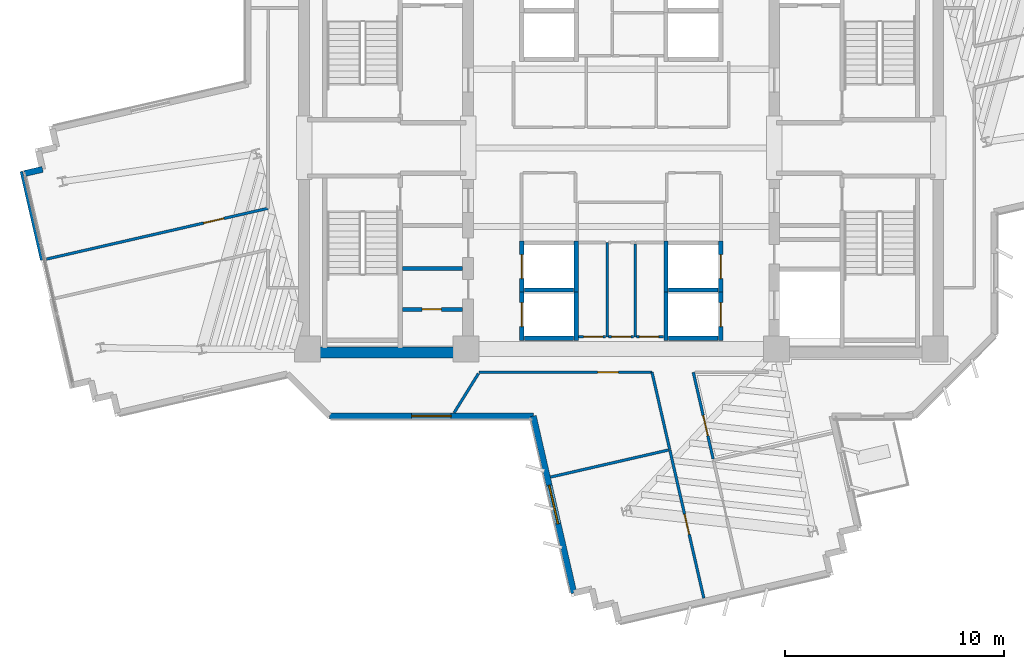
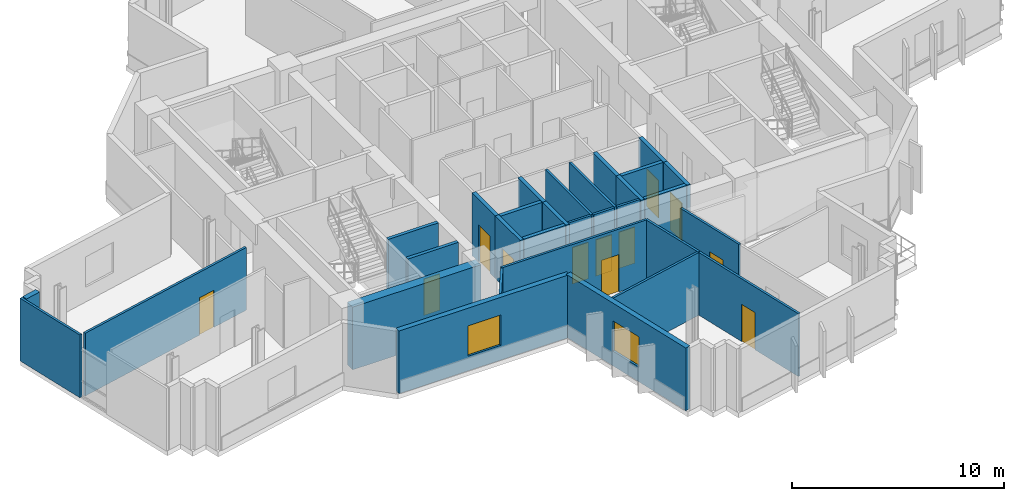
# One storey, part 6 of 13: 31 walls, 12 doors, 2 windows, 14 openings.
"""IFC4 building model written with IfcOpenShell, lengths in metres."""

from ifc_helpers import new_model, si_unit, direction, frame, frame_2d, origin, place, context, subcontext, project, spatial, rectangle, extrude, source, transform, mapped, material, layer, layer_set, type_object, element, fill, save


model = new_model("IFC4")

# Units and contexts
model_context = context("Model", 3, precision=1e-05, world=origin(), true_north=direction((0.0, 1.0)))
body_context = subcontext(model_context, "Body", "Model", "MODEL_VIEW")
ifc_project = project(units=[si_unit("LENGTHUNIT", "METRE"), si_unit("AREAUNIT", "SQUARE_METRE"), si_unit("VOLUMEUNIT", "CUBIC_METRE"), si_unit("PLANEANGLEUNIT", "RADIAN"), si_unit("MASSUNIT", "GRAM", prefix="KILO")], contexts=[model_context])

# Site, building, storey
site_placement = place(None, origin())
site = spatial("IfcSite", under=ifc_project, at=site_placement, CompositionType="ELEMENT")
building_placement = place(site_placement, origin())
building = spatial("IfcBuilding", under=site, at=building_placement, Name="Zahravan Cultural Tower", CompositionType="ELEMENT")
storey_placement = place(building_placement, frame((0.0, 0.0, 170.699951171875)))
storey = spatial("IfcBuildingStorey", under=building, at=storey_placement, Name="L39", CompositionType="ELEMENT", Elevation=170.699951171875)

# Wall, opening, window
ifc_material_1 = material(Name="Precast concrete C40/50", Category="concrete")
ifc_layer_1 = layer(ifc_material_1, 0.280029296875)
ifc_layer_set_1 = layer_set([ifc_layer_1], Name="Precast concrete C40/50")
wall_type_1 = type_object("IfcWallType", Name="EW-TC-280", PredefinedType="SOLIDWALL", material=ifc_layer_set_1)
wall_1_placement = place(storey_placement, frame((33.83740234375, 6.64111328125, 0.0), z_axis=(0.0, 0.0, 1.0), x_axis=(-0.223595405455, 0.974682047983, 0.0)))
wall_1 = element("IfcWall", 1, at=wall_1_placement, inside=storey, type_object=wall_type_1, Name="L39 Exterior Masonry Frame Wall 24", PredefinedType="SOLIDWALL", context=body_context, shape_type="SweptSolid", body=[
    extrude(rectangle(XDim=8.309326171875, YDim=0.280029296875, at=frame_2d((4.15478515625, 0.0))), origin(), (0.0, 0.0, 1.0), 3.6201171875),
])
opening_1_placement = place(wall_1_placement, frame((3.2548828125, 0.0, 0.85009765625)))
opening_1 = element("IfcOpeningElement", 2, at=opening_1_placement, cuts=wall_1, Name="Opening WN-02", PredefinedType="OPENING", context=body_context, shape_type="SweptSolid", body=[
    extrude(rectangle(XDim=1.800048828125, YDim=1.75, at=frame_2d((0.89990234375, 0.875))), frame((0.0, 0.14990234375, 0.0), z_axis=(0.0, -1.0, 0.0), x_axis=(1.0, 0.0, 0.0)), (0.0, 0.0, 1.0), 0.300048828125),
])
ifc_material_2 = material(Name="Low-E solar-control double glazing", Category="glass")
window_type = type_object("IfcWindowType", Name="WN-REC-1800X1750", PartitioningType="DOUBLE_PANEL_VERTICAL", PredefinedType="WINDOW", material=ifc_material_2)
shared_shape_1 = source(origin(), body_context, "Body", "SweptSolid", [
    extrude(rectangle(XDim=1.800048828125, YDim=1.75, at=frame_2d((0.89990234375, 0.875))), frame((0.0, 0.030029296875, 0.0), z_axis=(0.0, -1.0, 0.0), x_axis=(1.0, 0.0, 0.0)), (0.0, 0.0, 1.0), 0.06005859375),
])
window_1_placement = place(opening_1_placement, origin())
window_1 = element("IfcWindow", 3, at=window_1_placement, inside=storey, type_object=window_type, Name="L39 Recessed Solar Window 05", OverallHeight=1.75, OverallWidth=1.800048828125, PartitioningType="DOUBLE_PANEL_VERTICAL", PredefinedType="WINDOW", context=body_context, shape_type="MappedRepresentation", body=[
    mapped(shared_shape_1, transform((0.0, 0.0, 0.0), x_axis=(1.0, 0.0, 0.0), y_axis=(0.0, 1.0, 0.0), z_axis=(0.0, 0.0, 1.0), scale=1.0)),
])
fill(opening_1, window_1)

wall_2_placement = place(storey_placement, frame((31.9794921875, 14.739990234375, 0.0), z_axis=(0.0, 0.0, 1.0), x_axis=(-1.0, 0.0, 0.0)))
wall_2 = element("IfcWall", 4, at=wall_2_placement, inside=storey, type_object=wall_type_1, Name="L39 Exterior Masonry Frame Wall 25", PredefinedType="SOLIDWALL", context=body_context, shape_type="SweptSolid", body=[
    extrude(rectangle(XDim=9.321533203125, YDim=0.280029296875, at=frame_2d((4.66064453125, 0.0))), origin(), (0.0, 0.0, 1.0), 3.6201171875),
])
opening_2_placement = place(wall_2_placement, frame((3.760986328125, 0.0, 0.85009765625)))
opening_2 = element("IfcOpeningElement", 5, at=opening_2_placement, cuts=wall_2, Name="Opening WN-02", PredefinedType="OPENING", context=body_context, shape_type="SweptSolid", body=[
    extrude(rectangle(XDim=1.800048828125, YDim=1.75, at=frame_2d((0.89990234375, 0.875))), frame((0.0, 0.14990234375, 0.0), z_axis=(0.0, -1.0, 0.0), x_axis=(1.0, 0.0, 0.0)), (0.0, 0.0, 1.0), 0.300048828125),
])
window_2_placement = place(opening_2_placement, origin())
window_2 = element("IfcWindow", 6, at=window_2_placement, inside=storey, type_object=window_type, Name="L39 Recessed Solar Window 06", OverallHeight=1.75, OverallWidth=1.800048828125, PartitioningType="DOUBLE_PANEL_VERTICAL", PredefinedType="WINDOW", context=body_context, shape_type="MappedRepresentation", body=[
    mapped(shared_shape_1, transform((0.0, 0.0, 0.0), x_axis=(1.0, 0.0, 0.0), y_axis=(0.0, 1.0, 0.0), z_axis=(0.0, 0.0, 1.0), scale=1.0)),
])
fill(opening_2, window_2)

# Wall, opening, door
ifc_material_3 = material(Name="Gypsum plasterboard partition")
ifc_layer_2 = layer(ifc_material_3, 0.179931640625)
ifc_layer_set_2 = layer_set([ifc_layer_2], Name="Gypsum plasterboard partition")
wall_type_2 = type_object("IfcWallType", Name="W-COMP-180", PredefinedType="PARTITIONING", material=ifc_layer_set_2)
wall_3_placement = place(storey_placement, frame((26.0, 19.6201171875, 0.0), z_axis=(0.0, 0.0, 1.0), x_axis=(1.0, 0.0, 0.0)))
wall_3 = element("IfcWall", 7, at=wall_3_placement, inside=storey, type_object=wall_type_2, Name="L39 Interior Wall 026", PredefinedType="PARTITIONING", context=body_context, shape_type="SweptSolid", body=[
    extrude(rectangle(XDim=2.75, YDim=0.179931640625, at=frame_2d((1.375, 0.0))), origin(), (0.0, 0.0, 1.0), 3.6201171875),
])
opening_3_placement = place(wall_3_placement, frame((0.89990234375, 0.0, 0.0)))
opening_3 = element("IfcOpeningElement", 8, at=opening_3_placement, cuts=wall_3, Name="Opening D-L39-09", PredefinedType="OPENING", context=body_context, shape_type="SweptSolid", body=[
    extrude(rectangle(XDim=0.8798828125, YDim=2.10009765625, at=frame_2d((0.43994140625, 1.050048828125))), frame((0.0, 0.099853515625, 0.0), z_axis=(0.0, -1.0, 0.0), x_axis=(1.0, 0.0, 0.0)), (0.0, 0.0, 1.0), 0.199951171875),
])
ifc_material_4 = material(Name="Steel ASTM A572 Grade 50", Category="steel")
door_type_1 = type_object("IfcDoorType", Name="DR-SVC-880", OperationType="NOTDEFINED", PredefinedType="DOOR", material=ifc_material_4)
shared_shape_2 = source(origin(), body_context, "Body", "SweptSolid", [
    extrude(rectangle(XDim=0.8798828125, YDim=2.10009765625, at=frame_2d((0.43994140625, 1.050048828125))), frame((0.0, 0.02490234375, 0.0), z_axis=(0.0, -1.0, 0.0), x_axis=(1.0, 0.0, 0.0)), (0.0, 0.0, 1.0), 0.050048828125),
])
door_1_placement = place(opening_3_placement, origin())
door_1 = element("IfcDoor", 9, at=door_1_placement, inside=storey, type_object=door_type_1, Name="L39 Door D-L39-09", OperationType="SINGLE_SWING_LEFT", OverallHeight=2.10009765625, OverallWidth=0.8798828125, PredefinedType="DOOR", context=body_context, shape_type="MappedRepresentation", body=[
    mapped(shared_shape_2, transform((0.0, 0.0, 0.0), x_axis=(1.0, 0.0, 0.0), y_axis=(0.0, 1.0, 0.0), z_axis=(0.0, 0.0, 1.0), scale=1.0)),
])
fill(opening_3, door_1)

ifc_layer_3 = layer(ifc_material_3, 0.125)
ifc_layer_set_3 = layer_set([ifc_layer_3], Name="Gypsum plasterboard partition")
wall_type_3 = type_object("IfcWallType", Name="W-PART-125", PredefinedType="PARTITIONING", material=ifc_layer_set_3)
wall_4_placement = place(storey_placement, frame((36.572509765625, 18.360107421875, 0.0), z_axis=(0.0, 0.0, 1.0), x_axis=(-1.0, 0.0, 0.0)))
wall_4 = element("IfcWall", 10, at=wall_4_placement, inside=storey, type_object=wall_type_3, Name="L39 Interior Wall 065", PredefinedType="PARTITIONING", context=body_context, shape_type="SweptSolid", body=[
    extrude(rectangle(XDim=1.14501953125, YDim=0.125, at=frame_2d((0.572509765625, 0.0))), origin(), (0.0, 0.0, 1.0), 3.6201171875),
])
opening_4_placement = place(wall_4_placement, frame((0.132568359375, 0.0, 0.0)))
opening_4 = element("IfcOpeningElement", 11, at=opening_4_placement, cuts=wall_4, Name="Opening D-L39-21", PredefinedType="OPENING", context=body_context, shape_type="SweptSolid", body=[
    extrude(rectangle(XDim=0.8798828125, YDim=2.10009765625, at=frame_2d((0.43994140625, 1.050048828125))), frame((0.0, 0.072509765625, 0.0), z_axis=(0.0, -1.0, 0.0), x_axis=(1.0, 0.0, 0.0)), (0.0, 0.0, 1.0), 0.14501953125),
])
ifc_material_5 = material(Name="Anodised bronze-aluminium mullion", Category="aluminium")
door_type_2 = type_object("IfcDoorType", Name="DR-ROOM-880", OperationType="NOTDEFINED", PredefinedType="DOOR", material=ifc_material_5)
door_2_placement = place(opening_4_placement, origin())
door_2 = element("IfcDoor", 12, at=door_2_placement, inside=storey, type_object=door_type_2, Name="L39 Door D-L39-21", OperationType="SINGLE_SWING_LEFT", OverallHeight=2.10009765625, OverallWidth=0.8798828125, PredefinedType="DOOR", context=body_context, shape_type="MappedRepresentation", body=[
    mapped(shared_shape_2, transform((0.0, 0.0, 0.0), x_axis=(1.0, 0.0, 0.0), y_axis=(0.0, 1.0, 0.0), z_axis=(0.0, 0.0, 1.0), scale=1.0)),
])
fill(opening_4, door_2)

wall_5_placement = place(storey_placement, frame((35.29248046875, 18.360107421875, 0.0), z_axis=(0.0, 0.0, 1.0), x_axis=(-1.0, 0.0, 0.0)))
wall_5 = element("IfcWall", 13, at=wall_5_placement, inside=storey, type_object=wall_type_3, Name="L39 Interior Wall 067", PredefinedType="PARTITIONING", context=body_context, shape_type="SweptSolid", body=[
    extrude(rectangle(XDim=1.237548828125, YDim=0.125, at=frame_2d((0.61865234375, 0.0))), origin(), (0.0, 0.0, 1.0), 3.6201171875),
])
opening_5_placement = place(wall_5_placement, frame((0.125, 0.0, 0.0)))
opening_5 = element("IfcOpeningElement", 14, at=opening_5_placement, cuts=wall_5, Name="Opening D-L39-20", PredefinedType="OPENING", context=body_context, shape_type="SweptSolid", body=[
    extrude(rectangle(XDim=0.8798828125, YDim=2.10009765625, at=frame_2d((0.43994140625, 1.050048828125))), frame((0.0, 0.072509765625, 0.0), z_axis=(0.0, -1.0, 0.0), x_axis=(1.0, 0.0, 0.0)), (0.0, 0.0, 1.0), 0.14501953125),
])
door_3_placement = place(opening_5_placement, origin())
door_3 = element("IfcDoor", 15, at=door_3_placement, inside=storey, type_object=door_type_2, Name="L39 Door D-L39-20", OperationType="SINGLE_SWING_RIGHT", OverallHeight=2.10009765625, OverallWidth=0.8798828125, PredefinedType="DOOR", context=body_context, shape_type="MappedRepresentation", body=[
    mapped(shared_shape_2, transform((0.0, 0.0, 0.0), x_axis=(1.0, 0.0, 0.0), y_axis=(0.0, 1.0, 0.0), z_axis=(0.0, 0.0, 1.0), scale=1.0)),
])
fill(opening_5, door_3)

wall_6_placement = place(storey_placement, frame((37.945068359375, 18.360107421875, 0.0), z_axis=(0.0, 0.0, 1.0), x_axis=(-1.0, 0.0, 0.0)))
wall_6 = element("IfcWall", 16, at=wall_6_placement, inside=storey, type_object=wall_type_3, Name="L39 Interior Wall 069", PredefinedType="PARTITIONING", context=body_context, shape_type="SweptSolid", body=[
    extrude(rectangle(XDim=1.237548828125, YDim=0.125, at=frame_2d((0.61865234375, 0.0))), origin(), (0.0, 0.0, 1.0), 3.6201171875),
])
opening_6_placement = place(wall_6_placement, frame((0.232421875, 0.0, 0.0)))
opening_6 = element("IfcOpeningElement", 17, at=opening_6_placement, cuts=wall_6, Name="Opening D-L39-22", PredefinedType="OPENING", context=body_context, shape_type="SweptSolid", body=[
    extrude(rectangle(XDim=0.8798828125, YDim=2.10009765625, at=frame_2d((0.43994140625, 1.050048828125))), frame((0.0, 0.072509765625, 0.0), z_axis=(0.0, -1.0, 0.0), x_axis=(1.0, 0.0, 0.0)), (0.0, 0.0, 1.0), 0.14501953125),
])
door_4_placement = place(opening_6_placement, origin())
door_4 = element("IfcDoor", 18, at=door_4_placement, inside=storey, type_object=door_type_2, Name="L39 Door D-L39-22", OperationType="SINGLE_SWING_RIGHT", OverallHeight=2.10009765625, OverallWidth=0.8798828125, PredefinedType="DOOR", context=body_context, shape_type="MappedRepresentation", body=[
    mapped(shared_shape_2, transform((0.0, 0.0, 0.0), x_axis=(1.0, 0.0, 0.0), y_axis=(0.0, 1.0, 0.0), z_axis=(0.0, 0.0, 1.0), scale=1.0)),
])
fill(opening_6, door_4)

wall_7_placement = place(storey_placement, frame((29.487548828125, 16.739990234375, 0.0), z_axis=(0.0, 0.0, 1.0), x_axis=(1.0, 0.0, 0.0)))
wall_7 = element("IfcWall", 19, at=wall_7_placement, inside=storey, type_object=wall_type_3, Name="L39 Interior Wall 088", PredefinedType="PARTITIONING", context=body_context, shape_type="SweptSolid", body=[
    extrude(rectangle(XDim=7.922119140625, YDim=0.125, at=frame_2d((3.9609375, 0.0))), origin(), (0.0, 0.0, 1.0), 3.6201171875),
])
opening_7_placement = place(wall_7_placement, frame((5.438232421875, 0.0, 0.0)))
opening_7 = element("IfcOpeningElement", 20, at=opening_7_placement, cuts=wall_7, Name="Opening D-L39-28", PredefinedType="OPENING", context=body_context, shape_type="SweptSolid", body=[
    extrude(rectangle(XDim=0.949951171875, YDim=2.14990234375, at=frame_2d((0.47509765625, 1.074951171875))), frame((0.0, 0.072509765625, 0.0), z_axis=(0.0, -1.0, 0.0), x_axis=(1.0, 0.0, 0.0)), (0.0, 0.0, 1.0), 0.14501953125),
])
door_type_3 = type_object("IfcDoorType", Name="DR-ROOM-950", OperationType="NOTDEFINED", PredefinedType="DOOR", material=ifc_material_5)
shared_shape_3 = source(origin(), body_context, "Body", "SweptSolid", [
    extrude(rectangle(XDim=0.949951171875, YDim=2.14990234375, at=frame_2d((0.47509765625, 1.074951171875))), frame((0.0, 0.02490234375, 0.0), z_axis=(0.0, -1.0, 0.0), x_axis=(1.0, 0.0, 0.0)), (0.0, 0.0, 1.0), 0.050048828125),
])
door_5_placement = place(opening_7_placement, origin())
door_5 = element("IfcDoor", 21, at=door_5_placement, inside=storey, type_object=door_type_3, Name="L39 Door D-L39-28", OperationType="SINGLE_SWING_RIGHT", OverallHeight=2.14990234375, OverallWidth=0.949951171875, PredefinedType="DOOR", context=body_context, shape_type="MappedRepresentation", body=[
    mapped(shared_shape_3, transform((0.0, 0.0, 0.0), x_axis=(1.0, 0.0, 0.0), y_axis=(0.0, 1.0, 0.0), z_axis=(0.0, 0.0, 1.0), scale=1.0)),
])
fill(opening_7, door_5)

wall_8_placement = place(storey_placement, frame((40.206298828125, 12.778076171875, 0.0), z_axis=(0.0, 0.0, 1.0), x_axis=(-0.223552104445, 0.97469198037, 0.0)))
wall_8 = element("IfcWall", 22, at=wall_8_placement, inside=storey, type_object=wall_type_3, Name="L39 Interior Wall 094", PredefinedType="PARTITIONING", context=body_context, shape_type="SweptSolid", body=[
    extrude(rectangle(XDim=4.064697265625, YDim=0.125, at=frame_2d((2.0322265625, 0.0))), origin(), (0.0, 0.0, 1.0), 3.6201171875),
])
opening_8_placement = place(wall_8_placement, frame((1.090087890625, 0.0, 0.0)))
opening_8 = element("IfcOpeningElement", 23, at=opening_8_placement, cuts=wall_8, Name="Opening D-L39-30", PredefinedType="OPENING", context=body_context, shape_type="SweptSolid", body=[
    extrude(rectangle(XDim=0.949951171875, YDim=2.14990234375, at=frame_2d((0.47509765625, 1.074951171875))), frame((0.0, 0.072509765625, 0.0), z_axis=(0.0, -1.0, 0.0), x_axis=(1.0, 0.0, 0.0)), (0.0, 0.0, 1.0), 0.14501953125),
])
door_6_placement = place(opening_8_placement, origin())
door_6 = element("IfcDoor", 24, at=door_6_placement, inside=storey, type_object=door_type_3, Name="L39 Door D-L39-30", OperationType="SINGLE_SWING_RIGHT", OverallHeight=2.14990234375, OverallWidth=0.949951171875, PredefinedType="DOOR", context=body_context, shape_type="MappedRepresentation", body=[
    mapped(shared_shape_3, transform((0.0, 0.0, 0.0), x_axis=(1.0, 0.0, 0.0), y_axis=(0.0, 1.0, 0.0), z_axis=(0.0, 0.0, 1.0), scale=1.0)),
])
fill(opening_8, door_6)

wall_9_placement = place(storey_placement, frame((38.226806640625, 13.177978515625, 0.0), z_axis=(0.0, 0.0, 1.0), x_axis=(0.223573066544, -0.974687172336, 0.0)))
wall_9 = element("IfcWall", 25, at=wall_9_placement, inside=storey, type_object=wall_type_3, Name="L39 Interior Wall 096", PredefinedType="PARTITIONING", context=body_context, shape_type="SweptSolid", body=[
    extrude(rectangle(XDim=6.945068359375, YDim=0.125, at=frame_2d((3.47265625, 0.0))), origin(), (0.0, 0.0, 1.0), 3.6201171875),
])
opening_9_placement = place(wall_9_placement, frame((2.99755859375, 0.0, 0.0)))
opening_9 = element("IfcOpeningElement", 26, at=opening_9_placement, cuts=wall_9, Name="Opening D-L39-29", PredefinedType="OPENING", context=body_context, shape_type="SweptSolid", body=[
    extrude(rectangle(XDim=0.949951171875, YDim=2.14990234375, at=frame_2d((0.47509765625, 1.074951171875))), frame((0.0, 0.072509765625, 0.0), z_axis=(0.0, -1.0, 0.0), x_axis=(1.0, 0.0, 0.0)), (0.0, 0.0, 1.0), 0.14501953125),
])
door_7_placement = place(opening_9_placement, origin())
door_7 = element("IfcDoor", 27, at=door_7_placement, inside=storey, type_object=door_type_3, Name="L39 Door D-L39-29", OperationType="SINGLE_SWING_LEFT", OverallHeight=2.14990234375, OverallWidth=0.949951171875, PredefinedType="DOOR", context=body_context, shape_type="MappedRepresentation", body=[
    mapped(shared_shape_3, transform((0.0, 0.0, 0.0), x_axis=(1.0, 0.0, 0.0), y_axis=(0.0, 1.0, 0.0), z_axis=(0.0, 0.0, 1.0), scale=1.0)),
])
fill(opening_9, door_7)

wall_10_placement = place(storey_placement, frame((19.85009765625, 24.239013671875, 0.0), z_axis=(0.0, 0.0, 1.0), x_axis=(-0.974685214681, -0.223581600949, 0.0)))
wall_10 = element("IfcWall", 28, at=wall_10_placement, inside=storey, type_object=wall_type_3, Name="L39 Interior Wall 098", PredefinedType="PARTITIONING", context=body_context, shape_type="SweptSolid", body=[
    extrude(rectangle(XDim=10.396484375, YDim=0.125, at=frame_2d((5.1982421875, 0.0))), origin(), (0.0, 0.0, 1.0), 3.6201171875),
])
opening_10_placement = place(wall_10_placement, frame((2.078125, 0.0, 0.0)))
opening_10 = element("IfcOpeningElement", 29, at=opening_10_placement, cuts=wall_10, Name="Opening D-L39-26", PredefinedType="OPENING", context=body_context, shape_type="SweptSolid", body=[
    extrude(rectangle(XDim=0.949951171875, YDim=2.14990234375, at=frame_2d((0.47509765625, 1.074951171875))), frame((0.0, 0.072509765625, 0.0), z_axis=(0.0, -1.0, 0.0), x_axis=(1.0, 0.0, 0.0)), (0.0, 0.0, 1.0), 0.14501953125),
])
door_8_placement = place(opening_10_placement, origin())
door_8 = element("IfcDoor", 30, at=door_8_placement, inside=storey, type_object=door_type_3, Name="L39 Door D-L39-26", OperationType="SINGLE_SWING_RIGHT", OverallHeight=2.14990234375, OverallWidth=0.949951171875, PredefinedType="DOOR", context=body_context, shape_type="MappedRepresentation", body=[
    mapped(shared_shape_3, transform((0.0, 0.0, 0.0), x_axis=(1.0, 0.0, 0.0), y_axis=(0.0, 1.0, 0.0), z_axis=(0.0, 0.0, 1.0), scale=1.0)),
])
fill(opening_10, door_8)

ifc_material_6 = material(Name="Concrete C45/55", Category="concrete")
ifc_layer_4 = layer(ifc_material_6, 0.199951171875)
ifc_layer_set_4 = layer_set([ifc_layer_4], Name="Concrete C45/55")
wall_type_4 = type_object("IfcWallType", Name="W-SHAFT-200", PredefinedType="SOLIDWALL", material=ifc_layer_set_4)
wall_11_placement = place(storey_placement, frame((31.449951171875, 20.39990234375, 0.0), z_axis=(0.0, 0.0, 1.0), x_axis=(0.0, 1.0, 0.0)))
wall_11 = element("IfcWall", 31, at=wall_11_placement, inside=storey, type_object=wall_type_4, Name="L39 Interior Wall 043", PredefinedType="SOLIDWALL", context=body_context, shape_type="SweptSolid", body=[
    extrude(rectangle(XDim=2.35009765625, YDim=0.199951171875, at=frame_2d((1.175048828125, 0.0))), origin(), (0.0, 0.0, 1.0), 3.6201171875),
])
opening_11_placement = place(wall_11_placement, frame((0.625, 0.0, 0.0)))
opening_11 = element("IfcOpeningElement", 32, at=opening_11_placement, cuts=wall_11, Name="Opening LD-L39-04", PredefinedType="OPENING", context=body_context, shape_type="SweptSolid", body=[
    extrude(rectangle(XDim=1.10009765625, YDim=2.14990234375, at=frame_2d((0.550048828125, 1.074951171875))), frame((0.0, 0.10986328125, 0.0), z_axis=(0.0, -1.0, 0.0), x_axis=(1.0, 0.0, 0.0)), (0.0, 0.0, 1.0), 0.219970703125),
])
door_type_4 = type_object("IfcDoorType", Name="DR-LIFT-1100", OperationType="DOUBLE_DOOR_SLIDING", PredefinedType="DOOR", material=ifc_material_4)
shared_shape_4 = source(origin(), body_context, "Body", "SweptSolid", [
    extrude(rectangle(XDim=1.10009765625, YDim=2.14990234375, at=frame_2d((0.550048828125, 1.074951171875))), frame((0.0, 0.02490234375, 0.0), z_axis=(0.0, -1.0, 0.0), x_axis=(1.0, 0.0, 0.0)), (0.0, 0.0, 1.0), 0.050048828125),
])
door_9_placement = place(opening_11_placement, origin())
door_9 = element("IfcDoor", 33, at=door_9_placement, inside=storey, type_object=door_type_4, Name="L39 Door LD-L39-04", OperationType="DOUBLE_DOOR_SLIDING", OverallHeight=2.14990234375, OverallWidth=1.10009765625, PredefinedType="DOOR", context=body_context, shape_type="MappedRepresentation", body=[
    mapped(shared_shape_4, transform((0.0, 0.0, 0.0), x_axis=(1.0, 0.0, 0.0), y_axis=(0.0, 1.0, 0.0), z_axis=(0.0, 0.0, 1.0), scale=1.0)),
])
fill(opening_11, door_9)

wall_12_placement = place(storey_placement, frame((31.449951171875, 18.199951171875, 0.0), z_axis=(0.0, 0.0, 1.0), x_axis=(0.0, 1.0, 0.0)))
wall_12 = element("IfcWall", 34, at=wall_12_placement, inside=storey, type_object=wall_type_4, Name="L39 Interior Wall 047", PredefinedType="SOLIDWALL", context=body_context, shape_type="SweptSolid", body=[
    extrude(rectangle(XDim=2.35009765625, YDim=0.199951171875, at=frame_2d((1.175048828125, 0.0))), origin(), (0.0, 0.0, 1.0), 3.6201171875),
])
opening_12_placement = place(wall_12_placement, frame((0.625, 0.0, 0.0)))
opening_12 = element("IfcOpeningElement", 35, at=opening_12_placement, cuts=wall_12, Name="Opening LD-L39-05", PredefinedType="OPENING", context=body_context, shape_type="SweptSolid", body=[
    extrude(rectangle(XDim=1.10009765625, YDim=2.14990234375, at=frame_2d((0.550048828125, 1.074951171875))), frame((0.0, 0.10986328125, 0.0), z_axis=(0.0, -1.0, 0.0), x_axis=(1.0, 0.0, 0.0)), (0.0, 0.0, 1.0), 0.219970703125),
])
door_10_placement = place(opening_12_placement, origin())
door_10 = element("IfcDoor", 36, at=door_10_placement, inside=storey, type_object=door_type_4, Name="L39 Door LD-L39-05", OperationType="DOUBLE_DOOR_SLIDING", OverallHeight=2.14990234375, OverallWidth=1.10009765625, PredefinedType="DOOR", context=body_context, shape_type="MappedRepresentation", body=[
    mapped(shared_shape_4, transform((0.0, 0.0, 0.0), x_axis=(1.0, 0.0, 0.0), y_axis=(0.0, 1.0, 0.0), z_axis=(0.0, 0.0, 1.0), scale=1.0)),
])
fill(opening_12, door_10)

wall_13_placement = place(storey_placement, frame((40.550048828125, 20.39990234375, 0.0), z_axis=(0.0, 0.0, 1.0), x_axis=(0.0, 1.0, 0.0)))
wall_13 = element("IfcWall", 37, at=wall_13_placement, inside=storey, type_object=wall_type_4, Name="L39 Interior Wall 051", PredefinedType="SOLIDWALL", context=body_context, shape_type="SweptSolid", body=[
    extrude(rectangle(XDim=2.35009765625, YDim=0.199951171875, at=frame_2d((1.175048828125, 0.0))), origin(), (0.0, 0.0, 1.0), 3.6201171875),
])
opening_13_placement = place(wall_13_placement, frame((0.625, 0.0, 0.0)))
opening_13 = element("IfcOpeningElement", 38, at=opening_13_placement, cuts=wall_13, Name="Opening LD-L39-06", PredefinedType="OPENING", context=body_context, shape_type="SweptSolid", body=[
    extrude(rectangle(XDim=1.10009765625, YDim=2.14990234375, at=frame_2d((0.550048828125, 1.074951171875))), frame((0.0, 0.10986328125, 0.0), z_axis=(0.0, -1.0, 0.0), x_axis=(1.0, 0.0, 0.0)), (0.0, 0.0, 1.0), 0.219970703125),
])
door_11_placement = place(opening_13_placement, origin())
door_11 = element("IfcDoor", 39, at=door_11_placement, inside=storey, type_object=door_type_4, Name="L39 Door LD-L39-06", OperationType="DOUBLE_DOOR_SLIDING", OverallHeight=2.14990234375, OverallWidth=1.10009765625, PredefinedType="DOOR", context=body_context, shape_type="MappedRepresentation", body=[
    mapped(shared_shape_4, transform((0.0, 0.0, 0.0), x_axis=(1.0, 0.0, 0.0), y_axis=(0.0, 1.0, 0.0), z_axis=(0.0, 0.0, 1.0), scale=1.0)),
])
fill(opening_13, door_11)

wall_14_placement = place(storey_placement, frame((40.550048828125, 18.199951171875, 0.0), z_axis=(0.0, 0.0, 1.0), x_axis=(0.0, 1.0, 0.0)))
wall_14 = element("IfcWall", 40, at=wall_14_placement, inside=storey, type_object=wall_type_4, Name="L39 Interior Wall 055", PredefinedType="SOLIDWALL", context=body_context, shape_type="SweptSolid", body=[
    extrude(rectangle(XDim=2.35009765625, YDim=0.199951171875, at=frame_2d((1.175048828125, 0.0))), origin(), (0.0, 0.0, 1.0), 3.6201171875),
])
opening_14_placement = place(wall_14_placement, frame((0.625, 0.0, 0.0)))
opening_14 = element("IfcOpeningElement", 41, at=opening_14_placement, cuts=wall_14, Name="Opening LD-L39-07", PredefinedType="OPENING", context=body_context, shape_type="SweptSolid", body=[
    extrude(rectangle(XDim=1.10009765625, YDim=2.14990234375, at=frame_2d((0.550048828125, 1.074951171875))), frame((0.0, 0.10986328125, 0.0), z_axis=(0.0, -1.0, 0.0), x_axis=(1.0, 0.0, 0.0)), (0.0, 0.0, 1.0), 0.219970703125),
])
door_12_placement = place(opening_14_placement, origin())
door_12 = element("IfcDoor", 42, at=door_12_placement, inside=storey, type_object=door_type_4, Name="L39 Door LD-L39-07", OperationType="DOUBLE_DOOR_SLIDING", OverallHeight=2.14990234375, OverallWidth=1.10009765625, PredefinedType="DOOR", context=body_context, shape_type="MappedRepresentation", body=[
    mapped(shared_shape_4, transform((0.0, 0.0, 0.0), x_axis=(1.0, 0.0, 0.0), y_axis=(0.0, 1.0, 0.0), z_axis=(0.0, 0.0, 1.0), scale=1.0)),
])
fill(opening_14, door_12)

# Walls
ifc_material_7 = material(Name="Concrete C60/75", Category="concrete")
ifc_layer_5 = layer(ifc_material_7, 0.5)
ifc_layer_set_5 = layer_set([ifc_layer_5], Name="Concrete C60/75")
wall_type_5 = type_object("IfcWallType", Name="CW-SHEAR-500-C60", PredefinedType="SHEAR", material=ifc_layer_set_5)
shared_shape_5 = source(origin(), body_context, "Body", "SweptSolid", [
    extrude(rectangle(XDim=7.0, YDim=0.5, at=frame_2d((3.5, 0.0))), origin(), (0.0, 0.0, 1.0), 3.6201171875),
])
wall_15_placement = place(storey_placement, frame((21.75, 17.64990234375, 0.0), z_axis=(0.0, 0.0, 1.0), x_axis=(1.0, 0.0, 0.0)))
element("IfcWall", 43, at=wall_15_placement, inside=storey, type_object=wall_type_5, Name="L39 Core Shear Wall CW-W-S-L39", PredefinedType="SHEAR", context=body_context, shape_type="MappedRepresentation", body=[
    mapped(shared_shape_5, transform((0.0, 0.0, 0.0), x_axis=(1.0, 0.0, 0.0), y_axis=(0.0, 1.0, 0.0), z_axis=(0.0, 0.0, 1.0), scale=1.0)),
])
shared_shape_6 = source(origin(), body_context, "Body", "SweptSolid", [
    extrude(rectangle(XDim=0.849853515625, YDim=0.280029296875, at=frame_2d((0.4248046875, 0.0))), origin(), (0.0, 0.0, 1.0), 3.6201171875),
])
wall_16_placement = place(storey_placement, frame((8.7109375, 25.828857421875, 0.0), z_axis=(0.0, 0.0, 1.0), x_axis=(0.974704946586, 0.223495563939, 0.0)))
element("IfcWall", 44, at=wall_16_placement, inside=storey, type_object=wall_type_1, Name="L39 Exterior Masonry Frame Wall 32", PredefinedType="SOLIDWALL", context=body_context, shape_type="MappedRepresentation", body=[
    mapped(shared_shape_6, transform((0.0, 0.0, 0.0), x_axis=(1.0, 0.0, 0.0), y_axis=(0.0, 1.0, 0.0), z_axis=(0.0, 0.0, 1.0), scale=1.0)),
])
shared_shape_7 = source(origin(), body_context, "Body", "SweptSolid", [
    extrude(rectangle(XDim=2.75, YDim=0.179931640625, at=frame_2d((1.375, 0.0))), origin(), (0.0, 0.0, 1.0), 3.6201171875),
])
wall_17_placement = place(storey_placement, frame((26.0, 21.47998046875, 0.0), z_axis=(0.0, 0.0, 1.0), x_axis=(1.0, 0.0, 0.0)))
element("IfcWall", 45, at=wall_17_placement, inside=storey, type_object=wall_type_2, Name="L39 Interior Wall 027", PredefinedType="PARTITIONING", context=body_context, shape_type="MappedRepresentation", body=[
    mapped(shared_shape_7, transform((0.0, 0.0, 0.0), x_axis=(1.0, 0.0, 0.0), y_axis=(0.0, 1.0, 0.0), z_axis=(0.0, 0.0, 1.0), scale=1.0)),
])
shared_shape_8 = source(origin(), body_context, "Body", "SweptSolid", [
    extrude(rectangle(XDim=2.260009765625, YDim=0.199951171875, at=frame_2d((1.1298828125, 0.0))), origin(), (0.0, 0.0, 1.0), 3.6201171875),
])
for number, where, z_axis, x_axis, name in (
    (46, (31.570068359375, 20.5, 0.0), (0.0, 0.0, 1.0), (1.0, 0.0, 0.0), "L39 Interior Wall 045"),
    (47, (31.570068359375, 18.300048828125, 0.0), (0.0, 0.0, 1.0), (1.0, 0.0, 0.0), "L39 Interior Wall 049"),
    (48, (38.169921875, 20.5, 0.0), (0.0, 0.0, 1.0), (1.0, 0.0, 0.0), "L39 Interior Wall 052"),
    (49, (38.169921875, 18.300048828125, 0.0), (0.0, 0.0, 1.0), (1.0, 0.0, 0.0), "L39 Interior Wall 056"),
):
    element("IfcWall", number, at=place(storey_placement, frame(where, z_axis=z_axis, x_axis=x_axis)), inside=storey, type_object=wall_type_4, Name=name, PredefinedType="SOLIDWALL", context=body_context, shape_type="MappedRepresentation", body=[
        mapped(shared_shape_8, transform((0.0, 0.0, 0.0), x_axis=(1.0, 0.0, 0.0), y_axis=(0.0, 1.0, 0.0), z_axis=(0.0, 0.0, 1.0), scale=1.0)),
    ])
shared_shape_9 = source(origin(), body_context, "Body", "SweptSolid", [
    extrude(rectangle(XDim=2.35009765625, YDim=0.199951171875, at=frame_2d((1.175048828125, 0.0))), origin(), (0.0, 0.0, 1.0), 3.6201171875),
])
for number, where, z_axis, x_axis, name in (
    (50, (33.949951171875, 20.39990234375, 0.0), (0.0, 0.0, 1.0), (0.0, 1.0, 0.0), "L39 Interior Wall 044"),
    (51, (33.949951171875, 18.199951171875, 0.0), (0.0, 0.0, 1.0), (0.0, 1.0, 0.0), "L39 Interior Wall 048"),
    (52, (38.050048828125, 20.39990234375, 0.0), (0.0, 0.0, 1.0), (0.0, 1.0, 0.0), "L39 Interior Wall 050"),
    (53, (38.050048828125, 18.199951171875, 0.0), (0.0, 0.0, 1.0), (0.0, 1.0, 0.0), "L39 Interior Wall 054"),
):
    element("IfcWall", number, at=place(storey_placement, frame(where, z_axis=z_axis, x_axis=x_axis)), inside=storey, type_object=wall_type_4, Name=name, PredefinedType="SOLIDWALL", context=body_context, shape_type="MappedRepresentation", body=[
        mapped(shared_shape_9, transform((0.0, 0.0, 0.0), x_axis=(1.0, 0.0, 0.0), y_axis=(0.0, 1.0, 0.0), z_axis=(0.0, 0.0, 1.0), scale=1.0)),
    ])
shared_shape_10 = source(origin(), body_context, "Body", "SweptSolid", [
    extrude(rectangle(XDim=5.52734375, YDim=0.125, at=frame_2d((2.763671875, 0.0))), origin(), (0.0, 0.0, 1.0), 3.6201171875),
])
wall_18_placement = place(storey_placement, frame((38.156494140625, 13.182373046875, 0.0), z_axis=(0.0, 0.0, 1.0), x_axis=(-0.974684411123, -0.223585103961, 0.0)))
element("IfcWall", 54, at=wall_18_placement, inside=storey, type_object=wall_type_3, Name="L39 Interior Wall 090", PredefinedType="PARTITIONING", context=body_context, shape_type="MappedRepresentation", body=[
    mapped(shared_shape_10, transform((0.0, 0.0, 0.0), x_axis=(1.0, 0.0, 0.0), y_axis=(0.0, 1.0, 0.0), z_axis=(0.0, 0.0, 1.0), scale=1.0)),
])
shared_shape_11 = source(origin(), body_context, "Body", "SweptSolid", [
    extrude(rectangle(XDim=4.159912109375, YDim=0.125, at=frame_2d((2.080078125, 0.0))), origin(), (0.0, 0.0, 1.0), 3.6201171875),
])
wall_19_placement = place(storey_placement, frame((9.497314453125, 21.8642578125, 0.0), z_axis=(0.0, 0.0, 1.0), x_axis=(-0.223599186995, 0.974681180477, 0.0)))
element("IfcWall", 55, at=wall_19_placement, inside=storey, type_object=wall_type_3, Name="L39 Interior Wall 099", PredefinedType="PARTITIONING", context=body_context, shape_type="MappedRepresentation", body=[
    mapped(shared_shape_11, transform((0.0, 0.0, 0.0), x_axis=(1.0, 0.0, 0.0), y_axis=(0.0, 1.0, 0.0), z_axis=(0.0, 0.0, 1.0), scale=1.0)),
])
shared_shape_12 = source(origin(), body_context, "Body", "SweptSolid", [
    extrude(rectangle(XDim=4.31982421875, YDim=0.125, at=frame_2d((2.159912109375, 0.0))), origin(), (0.0, 0.0, 1.0), 3.6201171875),
])
wall_20_placement = place(storey_placement, frame((35.360107421875, 18.360107421875, 0.0), z_axis=(0.0, 0.0, 1.0), x_axis=(0.0, 1.0, 0.0)))
element("IfcWall", 56, at=wall_20_placement, inside=storey, type_object=wall_type_3, Name="L39 Interior Wall 062", PredefinedType="PARTITIONING", context=body_context, shape_type="MappedRepresentation", body=[
    mapped(shared_shape_12, transform((0.0, 0.0, 0.0), x_axis=(1.0, 0.0, 0.0), y_axis=(0.0, 1.0, 0.0), z_axis=(0.0, 0.0, 1.0), scale=1.0)),
])
shared_shape_13 = source(origin(), body_context, "Body", "SweptSolid", [
    extrude(rectangle(XDim=4.25244140625, YDim=0.125, at=frame_2d((2.126220703125, 0.0))), origin(), (0.0, 0.0, 1.0), 3.6201171875),
])
wall_21_placement = place(storey_placement, frame((36.639892578125, 22.612548828125, 0.0), z_axis=(0.0, 0.0, 1.0), x_axis=(0.0, -1.0, 0.0)))
element("IfcWall", 57, at=wall_21_placement, inside=storey, type_object=wall_type_3, Name="L39 Interior Wall 064", PredefinedType="PARTITIONING", context=body_context, shape_type="MappedRepresentation", body=[
    mapped(shared_shape_13, transform((0.0, 0.0, 0.0), x_axis=(1.0, 0.0, 0.0), y_axis=(0.0, 1.0, 0.0), z_axis=(0.0, 0.0, 1.0), scale=1.0)),
])
shared_shape_14 = source(origin(), body_context, "Body", "SweptSolid", [
    extrude(rectangle(XDim=3.634521484375, YDim=0.125, at=frame_2d((1.8173828125, 0.0))), origin(), (0.0, 0.0, 1.0), 3.6201171875),
])
wall_22_placement = place(storey_placement, frame((37.40966796875, 16.739990234375, 0.0), z_axis=(0.0, 0.0, 1.0), x_axis=(0.223618137603, -0.974676832871, 0.0)))
element("IfcWall", 58, at=wall_22_placement, inside=storey, type_object=wall_type_3, Name="L39 Interior Wall 089", PredefinedType="PARTITIONING", context=body_context, shape_type="MappedRepresentation", body=[
    mapped(shared_shape_14, transform((0.0, 0.0, 0.0), x_axis=(1.0, 0.0, 0.0), y_axis=(0.0, 1.0, 0.0), z_axis=(0.0, 0.0, 1.0), scale=1.0)),
])
shared_shape_15 = source(origin(), body_context, "Body", "SweptSolid", [
    extrude(rectangle(XDim=2.10986328125, YDim=0.125, at=frame_2d((1.054931640625, 0.0))), origin(), (0.0, 0.0, 1.0), 3.6201171875),
])
wall_23_placement = place(storey_placement, frame((28.35791015625, 14.885009765625, 0.0), z_axis=(0.0, 0.0, 1.0), x_axis=(0.527083427868, 0.849813544295, 0.0)))
element("IfcWall", 59, at=wall_23_placement, inside=storey, type_object=wall_type_3, Name="L39 Interior Wall 091", PredefinedType="PARTITIONING", context=body_context, shape_type="MappedRepresentation", body=[
    mapped(shared_shape_15, transform((0.0, 0.0, 0.0), x_axis=(1.0, 0.0, 0.0), y_axis=(0.0, 1.0, 0.0), z_axis=(0.0, 0.0, 1.0), scale=1.0)),
])

save(model, "model.ifc")
